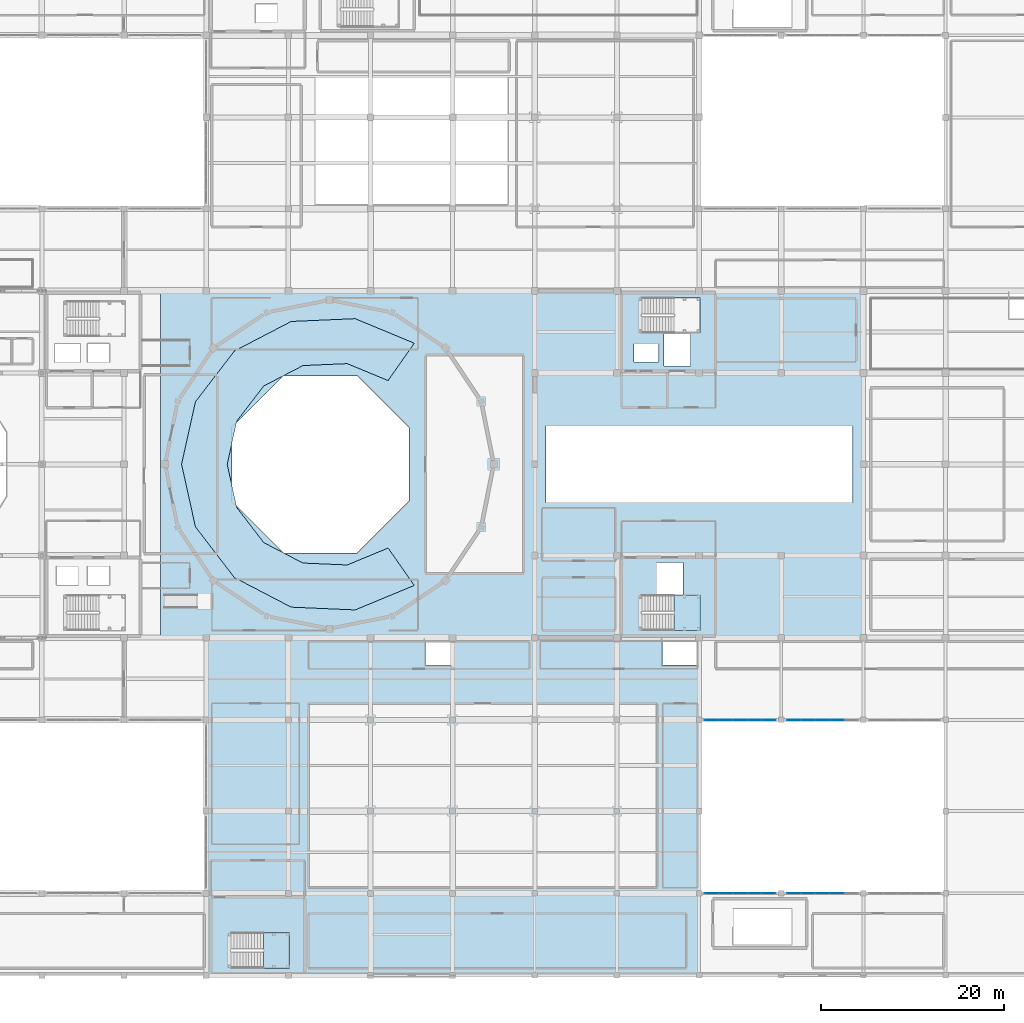
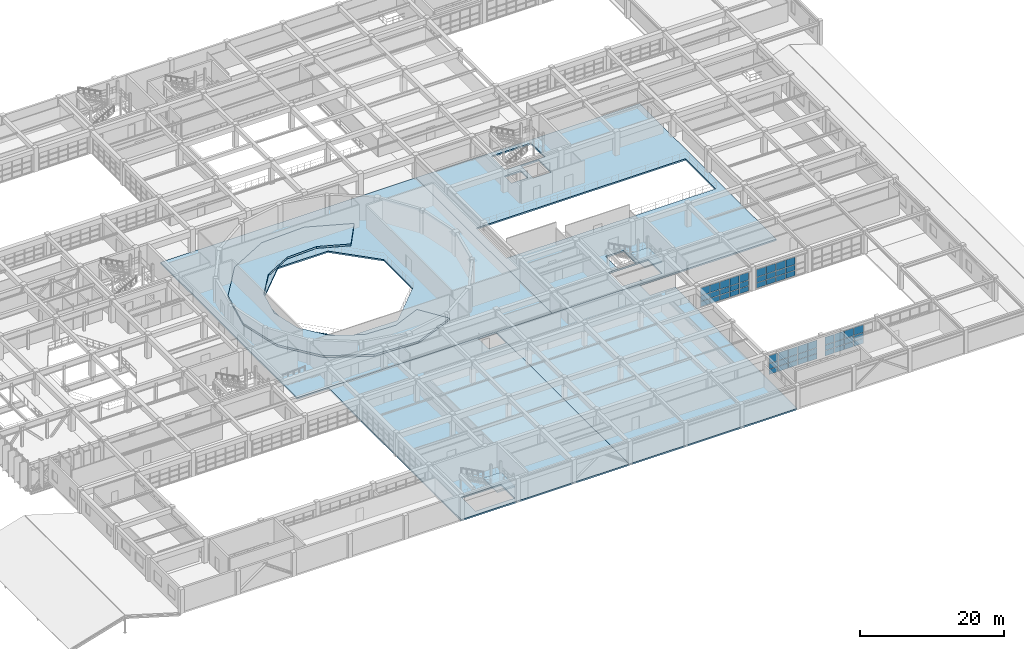
# One storey, part 93 of 130: 54 plates, 7 slabs, 6 elements without a shape of their own.
"""IFC4 building model written with IfcOpenShell, lengths in metres."""

from ifc_helpers import new_model, si_unit, direction, frame, origin, origin_2d, place, context, subcontext, project, spatial, polyline, rectangle, outline, extrude, material, layer, layer_set, type_object, element, aggregate, save


model = new_model("IFC4")

# Units and contexts
model_context = context("Model", 3, precision=1e-05, world=origin(), true_north=direction((0.0, 1.0)))
body_context = subcontext(model_context, "Body", "Model", "MODEL_VIEW")
ifc_project = project(units=[si_unit("LENGTHUNIT", "METRE"), si_unit("AREAUNIT", "SQUARE_METRE"), si_unit("VOLUMEUNIT", "CUBIC_METRE"), si_unit("PLANEANGLEUNIT", "RADIAN"), si_unit("MASSUNIT", "GRAM", prefix="KILO")], contexts=[model_context])

# Site, building, storey
site_placement = place(None, origin())
site = spatial("IfcSite", under=ifc_project, at=site_placement, CompositionType="ELEMENT")
building_placement = place(site_placement, origin())
building = spatial("IfcBuilding", under=site, at=building_placement, Name="Miravela Opera House", CompositionType="ELEMENT")
storey_placement = place(building_placement, frame((0.0, 0.0, 9.52001953125)))
storey = spatial("IfcBuildingStorey", under=building, at=storey_placement, Name="L02", CompositionType="ELEMENT", Elevation=9.52001953125)

# Curtain wall, plates
ifc_material_1 = material(Name="Anodised architectural bronze aluminium 6063-T6", Category="aluminium")
curtain_wall_type = type_object("IfcCurtainWallType", Name="ARC-CW-06", PredefinedType="NOTDEFINED", material=ifc_material_1)
curtain_wall_1_placement = place(storey_placement, origin())
curtain_wall_1 = element("IfcCurtainWall", 1, at=curtain_wall_1_placement, inside=storey, type_object=curtain_wall_type, Name="Courtyard Arcade Curtain Wall CW-L02-182", PredefinedType="NOTDEFINED")
ifc_material_2 = material(Name="Acoustic laminated low-E insulating glass", Category="glass")
ifc_layer_1 = layer(ifc_material_2, 0.028076171875)
ifc_layer_set_1 = layer_set([ifc_layer_1])
plate_type = type_object("IfcPlateType", Name="ARC-CWP-28", PredefinedType="CURTAIN_PANEL", material=ifc_layer_set_1)
plate_1_placement = place(storey_placement, frame((118.37890625, 28.0, 0.06005859375), z_axis=(0.0, 0.0, 1.0), x_axis=(1.0, 0.0, 0.0)))
plate_1 = element("IfcPlate", 2, at=plate_1_placement, type_object=plate_type, Name="CW-06 panel 1.1", PredefinedType="CURTAIN_PANEL", context=body_context, shape_type="SweptSolid", body=[
    extrude(rectangle(XDim=1.47802734375, YDim=0.028076171875, at=origin_2d()), origin(), (0.0, 0.0, 1.0), 0.860107421875),
])
plate_2_placement = place(storey_placement, frame((118.37890625, 28.0, 0.97998046875), z_axis=(0.0, 0.0, 1.0), x_axis=(1.0, 0.0, 0.0)))
plate_2 = element("IfcPlate", 3, at=plate_2_placement, type_object=plate_type, Name="CW-06 panel 1.2", PredefinedType="CURTAIN_PANEL", context=body_context, shape_type="SweptSolid", body=[
    extrude(rectangle(XDim=1.47802734375, YDim=0.028076171875, at=origin_2d()), origin(), (0.0, 0.0, 1.0), 0.898193359375),
])
plate_3_placement = place(storey_placement, frame((118.37890625, 28.0, 1.93798828125), z_axis=(0.0, 0.0, 1.0), x_axis=(1.0, 0.0, 0.0)))
plate_3 = element("IfcPlate", 4, at=plate_3_placement, type_object=plate_type, Name="CW-06 panel 1.3", PredefinedType="CURTAIN_PANEL", context=body_context, shape_type="SweptSolid", body=[
    extrude(rectangle(XDim=1.47802734375, YDim=0.028076171875, at=origin_2d()), origin(), (0.0, 0.0, 1.0), 1.291748046875),
])
plate_4_placement = place(storey_placement, frame((119.931884765625, 28.0, 0.06005859375), z_axis=(0.0, 0.0, 1.0), x_axis=(1.0, 0.0, 0.0)))
plate_4 = element("IfcPlate", 5, at=plate_4_placement, type_object=plate_type, Name="CW-06 panel 2.1", PredefinedType="CURTAIN_PANEL", context=body_context, shape_type="SweptSolid", body=[
    extrude(rectangle(XDim=1.508056640625, YDim=0.028076171875, at=origin_2d()), origin(), (0.0, 0.0, 1.0), 0.860107421875),
])
plate_5_placement = place(storey_placement, frame((119.931884765625, 28.0, 0.97998046875), z_axis=(0.0, 0.0, 1.0), x_axis=(1.0, 0.0, 0.0)))
plate_5 = element("IfcPlate", 6, at=plate_5_placement, type_object=plate_type, Name="CW-06 panel 2.2", PredefinedType="CURTAIN_PANEL", context=body_context, shape_type="SweptSolid", body=[
    extrude(rectangle(XDim=1.508056640625, YDim=0.028076171875, at=origin_2d()), origin(), (0.0, 0.0, 1.0), 0.898193359375),
])
plate_6_placement = place(storey_placement, frame((119.931884765625, 28.0, 1.93798828125), z_axis=(0.0, 0.0, 1.0), x_axis=(1.0, 0.0, 0.0)))
plate_6 = element("IfcPlate", 7, at=plate_6_placement, type_object=plate_type, Name="CW-06 panel 2.3", PredefinedType="CURTAIN_PANEL", context=body_context, shape_type="SweptSolid", body=[
    extrude(rectangle(XDim=1.508056640625, YDim=0.028076171875, at=origin_2d()), origin(), (0.0, 0.0, 1.0), 1.291748046875),
])
plate_7_placement = place(storey_placement, frame((121.5, 28.0, 0.06005859375), z_axis=(0.0, 0.0, 1.0), x_axis=(1.0, 0.0, 0.0)))
plate_7 = element("IfcPlate", 8, at=plate_7_placement, type_object=plate_type, Name="CW-06 panel 3.1", PredefinedType="CURTAIN_PANEL", context=body_context, shape_type="SweptSolid", body=[
    extrude(rectangle(XDim=1.508056640625, YDim=0.028076171875, at=origin_2d()), origin(), (0.0, 0.0, 1.0), 0.860107421875),
])
plate_8_placement = place(storey_placement, frame((121.5, 28.0, 0.97998046875), z_axis=(0.0, 0.0, 1.0), x_axis=(1.0, 0.0, 0.0)))
plate_8 = element("IfcPlate", 9, at=plate_8_placement, type_object=plate_type, Name="CW-06 panel 3.2", PredefinedType="CURTAIN_PANEL", context=body_context, shape_type="SweptSolid", body=[
    extrude(rectangle(XDim=1.508056640625, YDim=0.028076171875, at=origin_2d()), origin(), (0.0, 0.0, 1.0), 0.898193359375),
])
plate_9_placement = place(storey_placement, frame((121.5, 28.0, 1.93798828125), z_axis=(0.0, 0.0, 1.0), x_axis=(1.0, 0.0, 0.0)))
plate_9 = element("IfcPlate", 10, at=plate_9_placement, type_object=plate_type, Name="CW-06 panel 3.3", PredefinedType="CURTAIN_PANEL", context=body_context, shape_type="SweptSolid", body=[
    extrude(rectangle(XDim=1.508056640625, YDim=0.028076171875, at=origin_2d()), origin(), (0.0, 0.0, 1.0), 1.291748046875),
])
plate_10_placement = place(storey_placement, frame((123.068115234375, 28.0, 0.06005859375), z_axis=(0.0, 0.0, 1.0), x_axis=(1.0, 0.0, 0.0)))
plate_10 = element("IfcPlate", 11, at=plate_10_placement, type_object=plate_type, Name="CW-06 panel 4.1", PredefinedType="CURTAIN_PANEL", context=body_context, shape_type="SweptSolid", body=[
    extrude(rectangle(XDim=1.508056640625, YDim=0.028076171875, at=origin_2d()), origin(), (0.0, 0.0, 1.0), 0.860107421875),
])
plate_11_placement = place(storey_placement, frame((123.068115234375, 28.0, 0.97998046875), z_axis=(0.0, 0.0, 1.0), x_axis=(1.0, 0.0, 0.0)))
plate_11 = element("IfcPlate", 12, at=plate_11_placement, type_object=plate_type, Name="CW-06 panel 4.2", PredefinedType="CURTAIN_PANEL", context=body_context, shape_type="SweptSolid", body=[
    extrude(rectangle(XDim=1.508056640625, YDim=0.028076171875, at=origin_2d()), origin(), (0.0, 0.0, 1.0), 0.898193359375),
])
plate_12_placement = place(storey_placement, frame((123.068115234375, 28.0, 1.93798828125), z_axis=(0.0, 0.0, 1.0), x_axis=(1.0, 0.0, 0.0)))
plate_12 = element("IfcPlate", 13, at=plate_12_placement, type_object=plate_type, Name="CW-06 panel 4.3", PredefinedType="CURTAIN_PANEL", context=body_context, shape_type="SweptSolid", body=[
    extrude(rectangle(XDim=1.508056640625, YDim=0.028076171875, at=origin_2d()), origin(), (0.0, 0.0, 1.0), 1.291748046875),
])
plate_13_placement = place(storey_placement, frame((124.62109375, 28.0, 0.06005859375), z_axis=(0.0, 0.0, 1.0), x_axis=(1.0, 0.0, 0.0)))
plate_13 = element("IfcPlate", 14, at=plate_13_placement, type_object=plate_type, Name="CW-06 panel 5.1", PredefinedType="CURTAIN_PANEL", context=body_context, shape_type="SweptSolid", body=[
    extrude(rectangle(XDim=1.47802734375, YDim=0.028076171875, at=origin_2d()), origin(), (0.0, 0.0, 1.0), 0.860107421875),
])
plate_14_placement = place(storey_placement, frame((124.62109375, 28.0, 0.97998046875), z_axis=(0.0, 0.0, 1.0), x_axis=(1.0, 0.0, 0.0)))
plate_14 = element("IfcPlate", 15, at=plate_14_placement, type_object=plate_type, Name="CW-06 panel 5.2", PredefinedType="CURTAIN_PANEL", context=body_context, shape_type="SweptSolid", body=[
    extrude(rectangle(XDim=1.47802734375, YDim=0.028076171875, at=origin_2d()), origin(), (0.0, 0.0, 1.0), 0.898193359375),
])
plate_15_placement = place(storey_placement, frame((124.62109375, 28.0, 1.93798828125), z_axis=(0.0, 0.0, 1.0), x_axis=(1.0, 0.0, 0.0)))
plate_15 = element("IfcPlate", 16, at=plate_15_placement, type_object=plate_type, Name="CW-06 panel 5.3", PredefinedType="CURTAIN_PANEL", context=body_context, shape_type="SweptSolid", body=[
    extrude(rectangle(XDim=1.47802734375, YDim=0.028076171875, at=origin_2d()), origin(), (0.0, 0.0, 1.0), 1.291748046875),
])
aggregate(curtain_wall_1, [plate_1, plate_2, plate_3, plate_4, plate_5, plate_6, plate_7, plate_8, plate_9, plate_10, plate_11, plate_12, plate_13, plate_14, plate_15])

curtain_wall_2_placement = place(storey_placement, origin())
curtain_wall_2 = element("IfcCurtainWall", 17, at=curtain_wall_2_placement, inside=storey, type_object=curtain_wall_type, Name="Courtyard Arcade Curtain Wall CW-L02-183", PredefinedType="NOTDEFINED")
plate_16_placement = place(storey_placement, frame((118.37890625, 9.0, 0.06005859375), z_axis=(0.0, 0.0, 1.0), x_axis=(1.0, 0.0, 0.0)))
plate_16 = element("IfcPlate", 18, at=plate_16_placement, type_object=plate_type, Name="CW-06 panel 1.1", PredefinedType="CURTAIN_PANEL", context=body_context, shape_type="SweptSolid", body=[
    extrude(rectangle(XDim=1.47802734375, YDim=0.028076171875, at=origin_2d()), origin(), (0.0, 0.0, 1.0), 0.860107421875),
])
plate_17_placement = place(storey_placement, frame((118.37890625, 9.0, 0.97998046875), z_axis=(0.0, 0.0, 1.0), x_axis=(1.0, 0.0, 0.0)))
plate_17 = element("IfcPlate", 19, at=plate_17_placement, type_object=plate_type, Name="CW-06 panel 1.2", PredefinedType="CURTAIN_PANEL", context=body_context, shape_type="SweptSolid", body=[
    extrude(rectangle(XDim=1.47802734375, YDim=0.028076171875, at=origin_2d()), origin(), (0.0, 0.0, 1.0), 0.898193359375),
])
plate_18_placement = place(storey_placement, frame((118.37890625, 9.0, 1.93798828125), z_axis=(0.0, 0.0, 1.0), x_axis=(1.0, 0.0, 0.0)))
plate_18 = element("IfcPlate", 20, at=plate_18_placement, type_object=plate_type, Name="CW-06 panel 1.3", PredefinedType="CURTAIN_PANEL", context=body_context, shape_type="SweptSolid", body=[
    extrude(rectangle(XDim=1.47802734375, YDim=0.028076171875, at=origin_2d()), origin(), (0.0, 0.0, 1.0), 1.291748046875),
])
plate_19_placement = place(storey_placement, frame((119.931884765625, 9.0, 0.06005859375), z_axis=(0.0, 0.0, 1.0), x_axis=(1.0, 0.0, 0.0)))
plate_19 = element("IfcPlate", 21, at=plate_19_placement, type_object=plate_type, Name="CW-06 panel 2.1", PredefinedType="CURTAIN_PANEL", context=body_context, shape_type="SweptSolid", body=[
    extrude(rectangle(XDim=1.508056640625, YDim=0.028076171875, at=origin_2d()), origin(), (0.0, 0.0, 1.0), 0.860107421875),
])
plate_20_placement = place(storey_placement, frame((119.931884765625, 9.0, 0.97998046875), z_axis=(0.0, 0.0, 1.0), x_axis=(1.0, 0.0, 0.0)))
plate_20 = element("IfcPlate", 22, at=plate_20_placement, type_object=plate_type, Name="CW-06 panel 2.2", PredefinedType="CURTAIN_PANEL", context=body_context, shape_type="SweptSolid", body=[
    extrude(rectangle(XDim=1.508056640625, YDim=0.028076171875, at=origin_2d()), origin(), (0.0, 0.0, 1.0), 0.898193359375),
])
plate_21_placement = place(storey_placement, frame((119.931884765625, 9.0, 1.93798828125), z_axis=(0.0, 0.0, 1.0), x_axis=(1.0, 0.0, 0.0)))
plate_21 = element("IfcPlate", 23, at=plate_21_placement, type_object=plate_type, Name="CW-06 panel 2.3", PredefinedType="CURTAIN_PANEL", context=body_context, shape_type="SweptSolid", body=[
    extrude(rectangle(XDim=1.508056640625, YDim=0.028076171875, at=origin_2d()), origin(), (0.0, 0.0, 1.0), 1.291748046875),
])
plate_22_placement = place(storey_placement, frame((121.5, 9.0, 0.06005859375), z_axis=(0.0, 0.0, 1.0), x_axis=(1.0, 0.0, 0.0)))
plate_22 = element("IfcPlate", 24, at=plate_22_placement, type_object=plate_type, Name="CW-06 panel 3.1", PredefinedType="CURTAIN_PANEL", context=body_context, shape_type="SweptSolid", body=[
    extrude(rectangle(XDim=1.508056640625, YDim=0.028076171875, at=origin_2d()), origin(), (0.0, 0.0, 1.0), 0.860107421875),
])
plate_23_placement = place(storey_placement, frame((121.5, 9.0, 0.97998046875), z_axis=(0.0, 0.0, 1.0), x_axis=(1.0, 0.0, 0.0)))
plate_23 = element("IfcPlate", 25, at=plate_23_placement, type_object=plate_type, Name="CW-06 panel 3.2", PredefinedType="CURTAIN_PANEL", context=body_context, shape_type="SweptSolid", body=[
    extrude(rectangle(XDim=1.508056640625, YDim=0.028076171875, at=origin_2d()), origin(), (0.0, 0.0, 1.0), 0.898193359375),
])
plate_24_placement = place(storey_placement, frame((121.5, 9.0, 1.93798828125), z_axis=(0.0, 0.0, 1.0), x_axis=(1.0, 0.0, 0.0)))
plate_24 = element("IfcPlate", 26, at=plate_24_placement, type_object=plate_type, Name="CW-06 panel 3.3", PredefinedType="CURTAIN_PANEL", context=body_context, shape_type="SweptSolid", body=[
    extrude(rectangle(XDim=1.508056640625, YDim=0.028076171875, at=origin_2d()), origin(), (0.0, 0.0, 1.0), 1.291748046875),
])
plate_25_placement = place(storey_placement, frame((123.068115234375, 9.0, 0.06005859375), z_axis=(0.0, 0.0, 1.0), x_axis=(1.0, 0.0, 0.0)))
plate_25 = element("IfcPlate", 27, at=plate_25_placement, type_object=plate_type, Name="CW-06 panel 4.1", PredefinedType="CURTAIN_PANEL", context=body_context, shape_type="SweptSolid", body=[
    extrude(rectangle(XDim=1.508056640625, YDim=0.028076171875, at=origin_2d()), origin(), (0.0, 0.0, 1.0), 0.860107421875),
])
plate_26_placement = place(storey_placement, frame((123.068115234375, 9.0, 0.97998046875), z_axis=(0.0, 0.0, 1.0), x_axis=(1.0, 0.0, 0.0)))
plate_26 = element("IfcPlate", 28, at=plate_26_placement, type_object=plate_type, Name="CW-06 panel 4.2", PredefinedType="CURTAIN_PANEL", context=body_context, shape_type="SweptSolid", body=[
    extrude(rectangle(XDim=1.508056640625, YDim=0.028076171875, at=origin_2d()), origin(), (0.0, 0.0, 1.0), 0.898193359375),
])
plate_27_placement = place(storey_placement, frame((123.068115234375, 9.0, 1.93798828125), z_axis=(0.0, 0.0, 1.0), x_axis=(1.0, 0.0, 0.0)))
plate_27 = element("IfcPlate", 29, at=plate_27_placement, type_object=plate_type, Name="CW-06 panel 4.3", PredefinedType="CURTAIN_PANEL", context=body_context, shape_type="SweptSolid", body=[
    extrude(rectangle(XDim=1.508056640625, YDim=0.028076171875, at=origin_2d()), origin(), (0.0, 0.0, 1.0), 1.291748046875),
])
plate_28_placement = place(storey_placement, frame((124.62109375, 9.0, 0.06005859375), z_axis=(0.0, 0.0, 1.0), x_axis=(1.0, 0.0, 0.0)))
plate_28 = element("IfcPlate", 30, at=plate_28_placement, type_object=plate_type, Name="CW-06 panel 5.1", PredefinedType="CURTAIN_PANEL", context=body_context, shape_type="SweptSolid", body=[
    extrude(rectangle(XDim=1.47802734375, YDim=0.028076171875, at=origin_2d()), origin(), (0.0, 0.0, 1.0), 0.860107421875),
])
plate_29_placement = place(storey_placement, frame((124.62109375, 9.0, 0.97998046875), z_axis=(0.0, 0.0, 1.0), x_axis=(1.0, 0.0, 0.0)))
plate_29 = element("IfcPlate", 31, at=plate_29_placement, type_object=plate_type, Name="CW-06 panel 5.2", PredefinedType="CURTAIN_PANEL", context=body_context, shape_type="SweptSolid", body=[
    extrude(rectangle(XDim=1.47802734375, YDim=0.028076171875, at=origin_2d()), origin(), (0.0, 0.0, 1.0), 0.898193359375),
])
plate_30_placement = place(storey_placement, frame((124.62109375, 9.0, 1.93798828125), z_axis=(0.0, 0.0, 1.0), x_axis=(1.0, 0.0, 0.0)))
plate_30 = element("IfcPlate", 32, at=plate_30_placement, type_object=plate_type, Name="CW-06 panel 5.3", PredefinedType="CURTAIN_PANEL", context=body_context, shape_type="SweptSolid", body=[
    extrude(rectangle(XDim=1.47802734375, YDim=0.028076171875, at=origin_2d()), origin(), (0.0, 0.0, 1.0), 1.291748046875),
])
aggregate(curtain_wall_2, [plate_16, plate_17, plate_18, plate_19, plate_20, plate_21, plate_22, plate_23, plate_24, plate_25, plate_26, plate_27, plate_28, plate_29, plate_30])

curtain_wall_3_placement = place(storey_placement, origin())
curtain_wall_3 = element("IfcCurtainWall", 33, at=curtain_wall_3_placement, inside=storey, type_object=curtain_wall_type, Name="Courtyard Arcade Curtain Wall CW-L02-186", PredefinedType="NOTDEFINED")
plate_31_placement = place(storey_placement, frame((127.37890625, 28.0, 0.06005859375), z_axis=(0.0, 0.0, 1.0), x_axis=(1.0, 0.0, 0.0)))
plate_31 = element("IfcPlate", 34, at=plate_31_placement, type_object=plate_type, Name="CW-06 panel 1.1", PredefinedType="CURTAIN_PANEL", context=body_context, shape_type="SweptSolid", body=[
    extrude(rectangle(XDim=1.47802734375, YDim=0.028076171875, at=origin_2d()), origin(), (0.0, 0.0, 1.0), 0.860107421875),
])
plate_32_placement = place(storey_placement, frame((127.37890625, 28.0, 0.97998046875), z_axis=(0.0, 0.0, 1.0), x_axis=(1.0, 0.0, 0.0)))
plate_32 = element("IfcPlate", 35, at=plate_32_placement, type_object=plate_type, Name="CW-06 panel 1.2", PredefinedType="CURTAIN_PANEL", context=body_context, shape_type="SweptSolid", body=[
    extrude(rectangle(XDim=1.47802734375, YDim=0.028076171875, at=origin_2d()), origin(), (0.0, 0.0, 1.0), 0.898193359375),
])
plate_33_placement = place(storey_placement, frame((127.37890625, 28.0, 1.93798828125), z_axis=(0.0, 0.0, 1.0), x_axis=(1.0, 0.0, 0.0)))
plate_33 = element("IfcPlate", 36, at=plate_33_placement, type_object=plate_type, Name="CW-06 panel 1.3", PredefinedType="CURTAIN_PANEL", context=body_context, shape_type="SweptSolid", body=[
    extrude(rectangle(XDim=1.47802734375, YDim=0.028076171875, at=origin_2d()), origin(), (0.0, 0.0, 1.0), 1.291748046875),
])
plate_34_placement = place(storey_placement, frame((128.931884765625, 28.0, 0.06005859375), z_axis=(0.0, 0.0, 1.0), x_axis=(1.0, 0.0, 0.0)))
plate_34 = element("IfcPlate", 37, at=plate_34_placement, type_object=plate_type, Name="CW-06 panel 2.1", PredefinedType="CURTAIN_PANEL", context=body_context, shape_type="SweptSolid", body=[
    extrude(rectangle(XDim=1.508056640625, YDim=0.028076171875, at=origin_2d()), origin(), (0.0, 0.0, 1.0), 0.860107421875),
])
plate_35_placement = place(storey_placement, frame((128.931884765625, 28.0, 0.97998046875), z_axis=(0.0, 0.0, 1.0), x_axis=(1.0, 0.0, 0.0)))
plate_35 = element("IfcPlate", 38, at=plate_35_placement, type_object=plate_type, Name="CW-06 panel 2.2", PredefinedType="CURTAIN_PANEL", context=body_context, shape_type="SweptSolid", body=[
    extrude(rectangle(XDim=1.508056640625, YDim=0.028076171875, at=origin_2d()), origin(), (0.0, 0.0, 1.0), 0.898193359375),
])
plate_36_placement = place(storey_placement, frame((128.931884765625, 28.0, 1.93798828125), z_axis=(0.0, 0.0, 1.0), x_axis=(1.0, 0.0, 0.0)))
plate_36 = element("IfcPlate", 39, at=plate_36_placement, type_object=plate_type, Name="CW-06 panel 2.3", PredefinedType="CURTAIN_PANEL", context=body_context, shape_type="SweptSolid", body=[
    extrude(rectangle(XDim=1.508056640625, YDim=0.028076171875, at=origin_2d()), origin(), (0.0, 0.0, 1.0), 1.291748046875),
])
plate_37_placement = place(storey_placement, frame((130.5, 28.0, 0.06005859375), z_axis=(0.0, 0.0, 1.0), x_axis=(1.0, 0.0, 0.0)))
plate_37 = element("IfcPlate", 40, at=plate_37_placement, type_object=plate_type, Name="CW-06 panel 3.1", PredefinedType="CURTAIN_PANEL", context=body_context, shape_type="SweptSolid", body=[
    extrude(rectangle(XDim=1.508056640625, YDim=0.028076171875, at=origin_2d()), origin(), (0.0, 0.0, 1.0), 0.860107421875),
])
plate_38_placement = place(storey_placement, frame((130.5, 28.0, 0.97998046875), z_axis=(0.0, 0.0, 1.0), x_axis=(1.0, 0.0, 0.0)))
plate_38 = element("IfcPlate", 41, at=plate_38_placement, type_object=plate_type, Name="CW-06 panel 3.2", PredefinedType="CURTAIN_PANEL", context=body_context, shape_type="SweptSolid", body=[
    extrude(rectangle(XDim=1.508056640625, YDim=0.028076171875, at=origin_2d()), origin(), (0.0, 0.0, 1.0), 0.898193359375),
])
plate_39_placement = place(storey_placement, frame((130.5, 28.0, 1.93798828125), z_axis=(0.0, 0.0, 1.0), x_axis=(1.0, 0.0, 0.0)))
plate_39 = element("IfcPlate", 42, at=plate_39_placement, type_object=plate_type, Name="CW-06 panel 3.3", PredefinedType="CURTAIN_PANEL", context=body_context, shape_type="SweptSolid", body=[
    extrude(rectangle(XDim=1.508056640625, YDim=0.028076171875, at=origin_2d()), origin(), (0.0, 0.0, 1.0), 1.291748046875),
])
plate_40_placement = place(storey_placement, frame((132.068115234375, 28.0, 0.06005859375), z_axis=(0.0, 0.0, 1.0), x_axis=(1.0, 0.0, 0.0)))
plate_40 = element("IfcPlate", 43, at=plate_40_placement, type_object=plate_type, Name="CW-06 panel 4.1", PredefinedType="CURTAIN_PANEL", context=body_context, shape_type="SweptSolid", body=[
    extrude(rectangle(XDim=1.508056640625, YDim=0.028076171875, at=origin_2d()), origin(), (0.0, 0.0, 1.0), 0.860107421875),
])
plate_41_placement = place(storey_placement, frame((132.068115234375, 28.0, 0.97998046875), z_axis=(0.0, 0.0, 1.0), x_axis=(1.0, 0.0, 0.0)))
plate_41 = element("IfcPlate", 44, at=plate_41_placement, type_object=plate_type, Name="CW-06 panel 4.2", PredefinedType="CURTAIN_PANEL", context=body_context, shape_type="SweptSolid", body=[
    extrude(rectangle(XDim=1.508056640625, YDim=0.028076171875, at=origin_2d()), origin(), (0.0, 0.0, 1.0), 0.898193359375),
])
plate_42_placement = place(storey_placement, frame((132.068115234375, 28.0, 1.93798828125), z_axis=(0.0, 0.0, 1.0), x_axis=(1.0, 0.0, 0.0)))
plate_42 = element("IfcPlate", 45, at=plate_42_placement, type_object=plate_type, Name="CW-06 panel 4.3", PredefinedType="CURTAIN_PANEL", context=body_context, shape_type="SweptSolid", body=[
    extrude(rectangle(XDim=1.508056640625, YDim=0.028076171875, at=origin_2d()), origin(), (0.0, 0.0, 1.0), 1.291748046875),
])
aggregate(curtain_wall_3, [plate_31, plate_32, plate_33, plate_34, plate_35, plate_36, plate_37, plate_38, plate_39, plate_40, plate_41, plate_42])

curtain_wall_4_placement = place(storey_placement, origin())
curtain_wall_4 = element("IfcCurtainWall", 46, at=curtain_wall_4_placement, inside=storey, type_object=curtain_wall_type, Name="Courtyard Arcade Curtain Wall CW-L02-187", PredefinedType="NOTDEFINED")
plate_43_placement = place(storey_placement, frame((127.37890625, 9.0, 0.06005859375), z_axis=(0.0, 0.0, 1.0), x_axis=(1.0, 0.0, 0.0)))
plate_43 = element("IfcPlate", 47, at=plate_43_placement, type_object=plate_type, Name="CW-06 panel 1.1", PredefinedType="CURTAIN_PANEL", context=body_context, shape_type="SweptSolid", body=[
    extrude(rectangle(XDim=1.47802734375, YDim=0.028076171875, at=origin_2d()), origin(), (0.0, 0.0, 1.0), 0.860107421875),
])
plate_44_placement = place(storey_placement, frame((127.37890625, 9.0, 0.97998046875), z_axis=(0.0, 0.0, 1.0), x_axis=(1.0, 0.0, 0.0)))
plate_44 = element("IfcPlate", 48, at=plate_44_placement, type_object=plate_type, Name="CW-06 panel 1.2", PredefinedType="CURTAIN_PANEL", context=body_context, shape_type="SweptSolid", body=[
    extrude(rectangle(XDim=1.47802734375, YDim=0.028076171875, at=origin_2d()), origin(), (0.0, 0.0, 1.0), 0.898193359375),
])
plate_45_placement = place(storey_placement, frame((127.37890625, 9.0, 1.93798828125), z_axis=(0.0, 0.0, 1.0), x_axis=(1.0, 0.0, 0.0)))
plate_45 = element("IfcPlate", 49, at=plate_45_placement, type_object=plate_type, Name="CW-06 panel 1.3", PredefinedType="CURTAIN_PANEL", context=body_context, shape_type="SweptSolid", body=[
    extrude(rectangle(XDim=1.47802734375, YDim=0.028076171875, at=origin_2d()), origin(), (0.0, 0.0, 1.0), 1.291748046875),
])
plate_46_placement = place(storey_placement, frame((128.931884765625, 9.0, 0.06005859375), z_axis=(0.0, 0.0, 1.0), x_axis=(1.0, 0.0, 0.0)))
plate_46 = element("IfcPlate", 50, at=plate_46_placement, type_object=plate_type, Name="CW-06 panel 2.1", PredefinedType="CURTAIN_PANEL", context=body_context, shape_type="SweptSolid", body=[
    extrude(rectangle(XDim=1.508056640625, YDim=0.028076171875, at=origin_2d()), origin(), (0.0, 0.0, 1.0), 0.860107421875),
])
plate_47_placement = place(storey_placement, frame((128.931884765625, 9.0, 0.97998046875), z_axis=(0.0, 0.0, 1.0), x_axis=(1.0, 0.0, 0.0)))
plate_47 = element("IfcPlate", 51, at=plate_47_placement, type_object=plate_type, Name="CW-06 panel 2.2", PredefinedType="CURTAIN_PANEL", context=body_context, shape_type="SweptSolid", body=[
    extrude(rectangle(XDim=1.508056640625, YDim=0.028076171875, at=origin_2d()), origin(), (0.0, 0.0, 1.0), 0.898193359375),
])
plate_48_placement = place(storey_placement, frame((128.931884765625, 9.0, 1.93798828125), z_axis=(0.0, 0.0, 1.0), x_axis=(1.0, 0.0, 0.0)))
plate_48 = element("IfcPlate", 52, at=plate_48_placement, type_object=plate_type, Name="CW-06 panel 2.3", PredefinedType="CURTAIN_PANEL", context=body_context, shape_type="SweptSolid", body=[
    extrude(rectangle(XDim=1.508056640625, YDim=0.028076171875, at=origin_2d()), origin(), (0.0, 0.0, 1.0), 1.291748046875),
])
plate_49_placement = place(storey_placement, frame((130.5, 9.0, 0.06005859375), z_axis=(0.0, 0.0, 1.0), x_axis=(1.0, 0.0, 0.0)))
plate_49 = element("IfcPlate", 53, at=plate_49_placement, type_object=plate_type, Name="CW-06 panel 3.1", PredefinedType="CURTAIN_PANEL", context=body_context, shape_type="SweptSolid", body=[
    extrude(rectangle(XDim=1.508056640625, YDim=0.028076171875, at=origin_2d()), origin(), (0.0, 0.0, 1.0), 0.860107421875),
])
plate_50_placement = place(storey_placement, frame((130.5, 9.0, 0.97998046875), z_axis=(0.0, 0.0, 1.0), x_axis=(1.0, 0.0, 0.0)))
plate_50 = element("IfcPlate", 54, at=plate_50_placement, type_object=plate_type, Name="CW-06 panel 3.2", PredefinedType="CURTAIN_PANEL", context=body_context, shape_type="SweptSolid", body=[
    extrude(rectangle(XDim=1.508056640625, YDim=0.028076171875, at=origin_2d()), origin(), (0.0, 0.0, 1.0), 0.898193359375),
])
plate_51_placement = place(storey_placement, frame((130.5, 9.0, 1.93798828125), z_axis=(0.0, 0.0, 1.0), x_axis=(1.0, 0.0, 0.0)))
plate_51 = element("IfcPlate", 55, at=plate_51_placement, type_object=plate_type, Name="CW-06 panel 3.3", PredefinedType="CURTAIN_PANEL", context=body_context, shape_type="SweptSolid", body=[
    extrude(rectangle(XDim=1.508056640625, YDim=0.028076171875, at=origin_2d()), origin(), (0.0, 0.0, 1.0), 1.291748046875),
])
plate_52_placement = place(storey_placement, frame((132.068115234375, 9.0, 0.06005859375), z_axis=(0.0, 0.0, 1.0), x_axis=(1.0, 0.0, 0.0)))
plate_52 = element("IfcPlate", 56, at=plate_52_placement, type_object=plate_type, Name="CW-06 panel 4.1", PredefinedType="CURTAIN_PANEL", context=body_context, shape_type="SweptSolid", body=[
    extrude(rectangle(XDim=1.508056640625, YDim=0.028076171875, at=origin_2d()), origin(), (0.0, 0.0, 1.0), 0.860107421875),
])
plate_53_placement = place(storey_placement, frame((132.068115234375, 9.0, 0.97998046875), z_axis=(0.0, 0.0, 1.0), x_axis=(1.0, 0.0, 0.0)))
plate_53 = element("IfcPlate", 57, at=plate_53_placement, type_object=plate_type, Name="CW-06 panel 4.2", PredefinedType="CURTAIN_PANEL", context=body_context, shape_type="SweptSolid", body=[
    extrude(rectangle(XDim=1.508056640625, YDim=0.028076171875, at=origin_2d()), origin(), (0.0, 0.0, 1.0), 0.898193359375),
])
plate_54_placement = place(storey_placement, frame((132.068115234375, 9.0, 1.93798828125), z_axis=(0.0, 0.0, 1.0), x_axis=(1.0, 0.0, 0.0)))
plate_54 = element("IfcPlate", 58, at=plate_54_placement, type_object=plate_type, Name="CW-06 panel 4.3", PredefinedType="CURTAIN_PANEL", context=body_context, shape_type="SweptSolid", body=[
    extrude(rectangle(XDim=1.508056640625, YDim=0.028076171875, at=origin_2d()), origin(), (0.0, 0.0, 1.0), 1.291748046875),
])
aggregate(curtain_wall_4, [plate_43, plate_44, plate_45, plate_46, plate_47, plate_48, plate_49, plate_50, plate_51, plate_52, plate_53, plate_54])

# Stair, slab
ifc_material_3 = material(Name="Concrete C35/45", Category="concrete")
stair_type = type_object("IfcStairType", Name="ARC-STAIR-CORE-1680", PredefinedType="HALF_TURN_STAIR", material=ifc_material_3)
stair_1_placement = place(storey_placement, origin())
stair_1 = element("IfcStair", 59, at=stair_1_placement, inside=storey, type_object=stair_type, Name="L02 Core K4 South Stage Core Exit Stair ST-04", PredefinedType="HALF_TURN_STAIR")
ifc_layer_2 = layer(ifc_material_3, 0.199951171875)
ifc_layer_set_2 = layer_set([ifc_layer_2])
slab_type_1 = type_object("IfcSlabType", Name="ARC-LANDING-200", PredefinedType="LANDING", material=ifc_layer_set_2)
slab_1_placement = place(storey_placement, frame((0.0, 0.0, 1.840087890625)))
slab_1 = element("IfcSlab", 60, at=slab_1_placement, type_object=slab_type_1, Name="ST-04 landing 1", PredefinedType="LANDING", context=body_context, shape_type="SweptSolid", body=[
    extrude(outline(polyline([(114.260009765625, 37.800048828125), (117.10009765625, 37.800048828125), (117.10009765625, 41.679931640625), (114.260009765625, 41.679931640625), (114.260009765625, 37.800048828125)])), origin(), (0.0, 0.0, 1.0), 0.199951171875),
])
aggregate(stair_1, [slab_1])

stair_2_placement = place(storey_placement, origin())
stair_2 = element("IfcStair", 61, at=stair_2_placement, inside=storey, type_object=stair_type, Name="L02 Core K6 South Artist Core Exit Stair ST-06", PredefinedType="HALF_TURN_STAIR")
slab_2_placement = place(storey_placement, frame((0.0, 0.0, 1.840087890625)))
slab_2 = element("IfcSlab", 62, at=slab_2_placement, type_object=slab_type_1, Name="ST-06 landing 1", PredefinedType="LANDING", context=body_context, shape_type="SweptSolid", body=[
    extrude(outline(polyline([(69.260009765625, 0.800048828125), (72.10009765625, 0.800048828125), (72.10009765625, 4.679931640625), (69.260009765625, 4.679931640625), (69.260009765625, 0.800048828125)])), origin(), (0.0, 0.0, 1.0), 0.199951171875),
])
aggregate(stair_2, [slab_2])

# Slabs
ifc_material_4 = material(Name="Precast concrete C40/50", Category="concrete")
ifc_layer_3 = layer(ifc_material_4, 0.219970703125)
ifc_layer_set_3 = layer_set([ifc_layer_3])
slab_type_2 = type_object("IfcSlabType", Name="STR-SLAB-TIER-220", PredefinedType="USERDEFINED", material=ifc_layer_set_3)
slab_3_placement = place(storey_placement, frame((0.0, 0.0, 0.02001953125)))
element("IfcSlab", 63, at=slab_3_placement, inside=storey, type_object=slab_type_2, Name="Stand Main Auditorium Horseshoe Tier 3 (L02)", ObjectType="SEATING TIER", PredefinedType="USERDEFINED", context=body_context, shape_type="SweptSolid", body=[
    extrude(outline(polyline([(85.7919921875, 69.270263671875), (79.31298828125, 71.953857421875), (72.30712890625, 71.64794921875), (66.0869140625, 68.409912109375), (61.81787109375, 62.846435546875), (60.300048828125, 56.0), (61.81787109375, 49.153564453125), (66.0869140625, 43.590087890625), (72.30712890625, 40.35205078125), (79.31298828125, 40.046142578125), (85.7919921875, 42.729736328125), (82.924072265625, 46.825439453125), (78.44482421875, 44.97021484375), (73.601318359375, 45.181640625), (69.30078125, 47.42041015625), (66.349365234375, 51.2666015625), (65.300048828125, 56.0), (66.349365234375, 60.7333984375), (69.30078125, 64.57958984375), (73.601318359375, 66.818359375), (78.44482421875, 67.02978515625), (82.924072265625, 65.174560546875), (85.7919921875, 69.270263671875)])), origin(), (0.0, 0.0, 1.0), 0.320068359375),
])
ifc_material_5 = material(Name="Concrete C40/50", Category="concrete")
ifc_layer_4 = layer(ifc_material_5, 0.260009765625)
ifc_layer_set_4 = layer_set([ifc_layer_4])
slab_type_3 = type_object("IfcSlabType", Name="STR-SLAB-XFER-260", PredefinedType="FLOOR", material=ifc_layer_set_4)
slab_4_placement = place(storey_placement, frame((0.0, 0.0, -0.260009765625)))
element("IfcSlab", 64, at=slab_4_placement, inside=storey, type_object=slab_type_3, Name="Level L02 Floor Slab SLAB-L02-V1E", PredefinedType="FLOOR", context=body_context, shape_type="SweptSolid", body=[
    extrude(outline(polyline([(58.0, 37.0), (99.0, 37.0), (99.0, 75.0), (58.0, 75.0), (58.0, 37.0)]), holes=[polyline([(85.20068359375, 60.018310546875), (79.518310546875, 65.70068359375), (71.481689453125, 65.70068359375), (65.79931640625, 60.018310546875), (65.79931640625, 51.981689453125), (71.481689453125, 46.29931640625), (79.518310546875, 46.29931640625), (85.20068359375, 51.981689453125), (85.20068359375, 60.018310546875)])]), origin(), (0.0, 0.0, 1.0), 0.260009765625),
])
slab_5_placement = place(storey_placement, frame((0.0, 0.0, -0.260009765625)))
element("IfcSlab", 65, at=slab_5_placement, inside=storey, type_object=slab_type_3, Name="Level L02 Floor Slab SLAB-L02-V2M", PredefinedType="FLOOR", context=body_context, shape_type="SweptSolid", body=[
    extrude(outline(polyline([(99.0, 37.0), (135.0, 37.0), (135.0, 75.0), (99.0, 75.0), (99.0, 37.0)]), holes=[polyline([(110.739990234375, 70.39990234375), (117.10009765625, 70.39990234375), (117.10009765625, 74.280029296875), (110.739990234375, 74.280029296875), (110.739990234375, 70.39990234375)]), polyline([(110.739990234375, 37.800048828125), (117.10009765625, 37.800048828125), (117.10009765625, 41.679931640625), (110.739990234375, 41.679931640625), (110.739990234375, 37.800048828125)]), polyline([(109.85009765625, 67.22509765625), (112.550048828125, 67.22509765625), (112.550048828125, 69.175048828125), (109.85009765625, 69.175048828125), (109.85009765625, 67.22509765625)]), polyline([(113.14990234375, 66.75), (116.050048828125, 66.75), (116.050048828125, 70.25), (113.14990234375, 70.25), (113.14990234375, 66.75)]), polyline([(112.35009765625, 41.75), (115.25, 41.75), (115.25, 45.25), (112.35009765625, 45.25), (112.35009765625, 41.75)]), polyline([(100.199951171875, 51.800048828125), (133.800048828125, 51.800048828125), (133.800048828125, 60.199951171875), (100.199951171875, 60.199951171875), (100.199951171875, 51.800048828125)])]), origin(), (0.0, 0.0, 1.0), 0.260009765625),
])
slab_6_placement = place(storey_placement, frame((0.0, 0.0, -0.260009765625)))
element("IfcSlab", 66, at=slab_6_placement, inside=storey, type_object=slab_type_3, Name="Level L02 Floor Slab SLAB-L02-V4M1", PredefinedType="FLOOR", context=body_context, shape_type="SweptSolid", body=[
    extrude(outline(polyline([(63.0, 0.0), (90.0, 0.0), (90.0, 34.0), (87.0, 34.0), (87.0, 37.0), (63.0, 37.0), (63.0, 0.0)]), holes=[polyline([(65.739990234375, 0.800048828125), (72.10009765625, 0.800048828125), (72.10009765625, 4.679931640625), (65.739990234375, 4.679931640625), (65.739990234375, 0.800048828125)])]), origin(), (0.0, 0.0, 1.0), 0.260009765625),
])
slab_7_placement = place(storey_placement, frame((0.0, 0.0, -0.260009765625)))
element("IfcSlab", 67, at=slab_7_placement, inside=storey, type_object=slab_type_3, Name="Level L02 Floor Slab SLAB-L02-V4M2", PredefinedType="FLOOR", context=body_context, shape_type="SweptSolid", body=[
    extrude(outline(polyline([(90.0, 0.0), (117.0, 0.0), (117.0, 34.0), (113.0, 34.0), (113.0, 37.0), (90.0, 37.0), (90.0, 0.0)])), origin(), (0.0, 0.0, 1.0), 0.260009765625),
])

save(model, "model.ifc")
